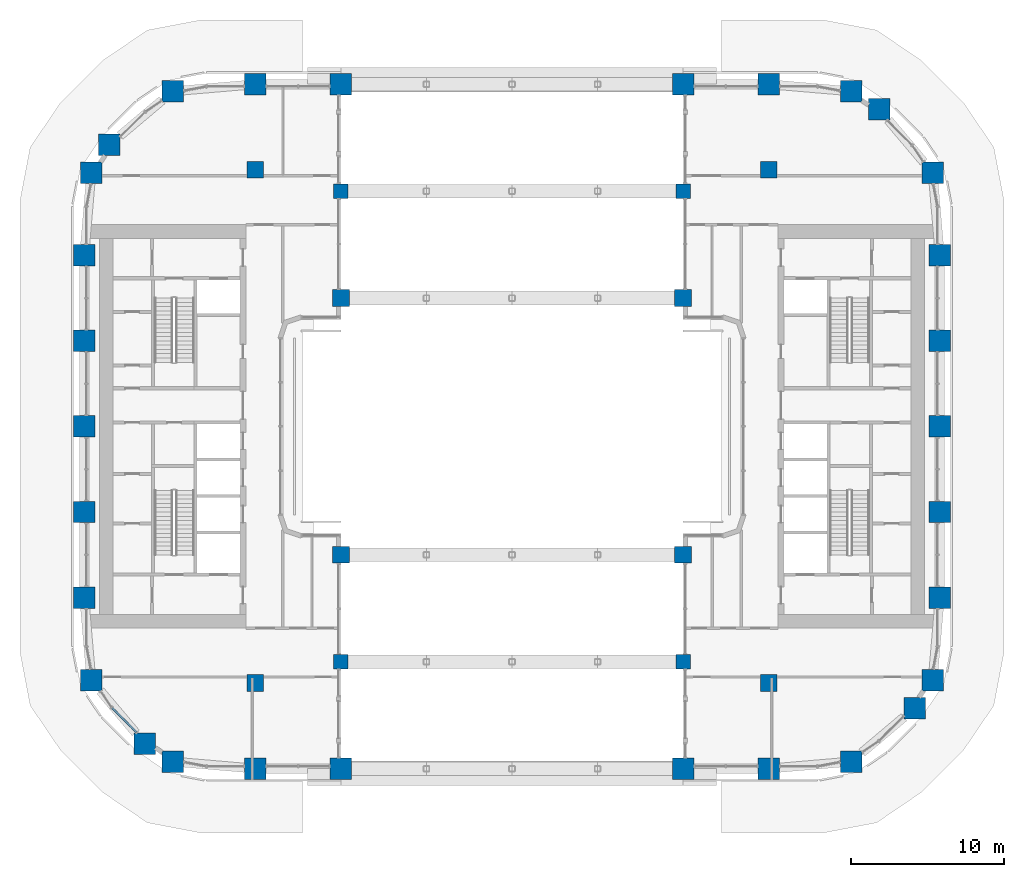
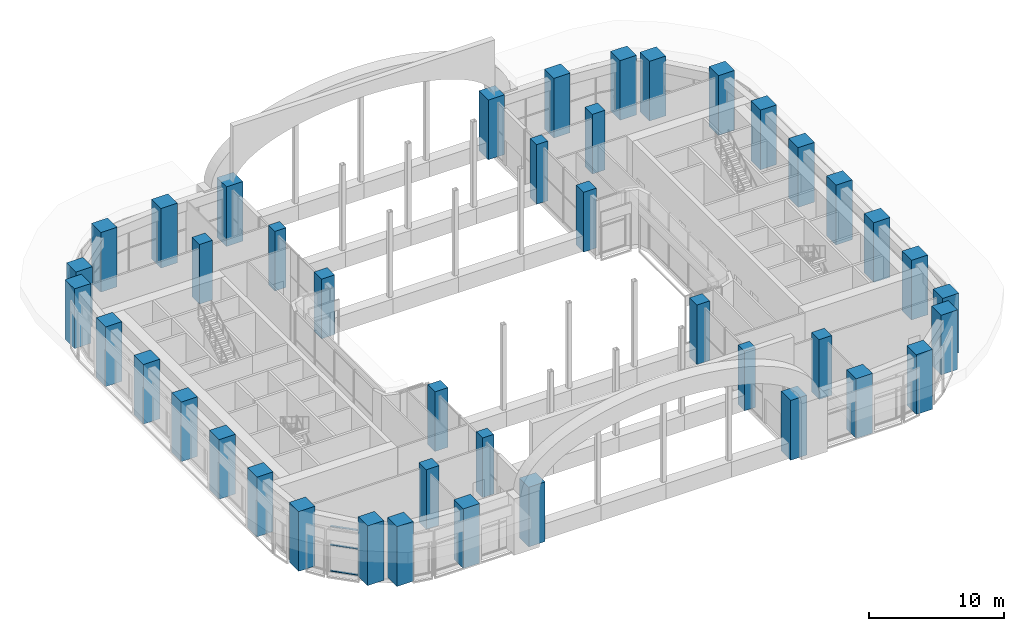
# One storey, part 1 of 27: 42 columns, 3 members, 1 element without a shape of its own.
"""IFC4 building model written with IfcOpenShell, lengths in metres."""

from ifc_helpers import new_model, si_unit, direction, frame, origin, origin_2d, place, context, subcontext, project, spatial, rectangle, extrude, material, layer, layer_set, material_profile, profile_set, type_object, element, aggregate, save


model = new_model("IFC4")

# Units and contexts
model_context = context("Model", 3, precision=1e-05, world=origin(), true_north=direction((0.0, 1.0)))
body_context = subcontext(model_context, "Body", "Model", "MODEL_VIEW")
ifc_project = project(units=[si_unit("LENGTHUNIT", "METRE"), si_unit("AREAUNIT", "SQUARE_METRE"), si_unit("VOLUMEUNIT", "CUBIC_METRE"), si_unit("PLANEANGLEUNIT", "RADIAN"), si_unit("MASSUNIT", "GRAM", prefix="KILO")], contexts=[model_context])

# Site, building, storey
site_placement = place(None, origin())
site = spatial("IfcSite", under=ifc_project, at=site_placement, CompositionType="ELEMENT")
building_placement = place(site_placement, origin())
building = spatial("IfcBuilding", under=site, at=building_placement, Name="Kiln Ring Residences", CompositionType="ELEMENT")
storey_placement = place(building_placement, frame((0.0, 0.0, 72.5)))
storey = spatial("IfcBuildingStorey", under=building, at=storey_placement, Name="L18", CompositionType="ELEMENT", Elevation=72.5)

# Columns
ifc_material_1 = material(Name="Concrete C80/95", Category="concrete")
ifc_material_profile_1 = material_profile(ifc_material_1, rectangle(XDim=0.949951171875, YDim=0.949951171875, at=origin_2d()), Name="RC950x950")
ifc_profile_set_1 = profile_set([ifc_material_profile_1], Name="Concrete C80/95")
column_type_1 = type_object("IfcColumnType", Name="Corridor column RC950x950 C80/95", PredefinedType="COLUMN", material=ifc_profile_set_1)
for number, where, z_axis, x_axis, name in (
    (1, (-11.199951171875, 15.39990234375, 0.0), (0.0, 0.0, 1.0), (1.0, 0.0, 0.0), "Corridor column L18 1"),
    (2, (11.199951171875, 15.39990234375, 0.0), (0.0, 0.0, 1.0), (1.0, 0.0, 0.0), "Corridor column L18 2"),
    (3, (-11.199951171875, -15.39990234375, 0.0), (0.0, 0.0, 1.0), (1.0, 0.0, 0.0), "Corridor column L18 3"),
    (4, (11.199951171875, -15.39990234375, 0.0), (0.0, 0.0, 1.0), (1.0, 0.0, 0.0), "Corridor column L18 4"),
):
    element("IfcColumn", number, at=place(storey_placement, frame(where, z_axis=z_axis, x_axis=x_axis)), inside=storey, type_object=column_type_1, Name=name, PredefinedType="COLUMN", context=body_context, shape_type="SweptSolid", body=[
        extrude(rectangle(XDim=0.949951171875, YDim=0.949951171875, at=origin_2d()), origin(), (0.0, 0.0, 1.0), 5.39990234375),
    ])
ifc_material_2 = material(Name="Concrete C80/95", Category="concrete")
ifc_material_profile_2 = material_profile(ifc_material_2, rectangle(XDim=1.39990234375, YDim=1.39990234375, at=origin_2d()), Name="RC1400x1400")
ifc_profile_set_2 = profile_set([ifc_material_profile_2], Name="Concrete C80/95")
column_type_2 = type_object("IfcColumnType", Name="Perimeter column RC1400x1400 C80/95", PredefinedType="COLUMN", material=ifc_profile_set_2)
for number, where, z_axis, x_axis, name in (
    (5, (-22.208740234375, -21.93798828125, 0.0), (0.0, 0.0, 1.0), (1.0, 0.0, 0.0), "Perimeter column L18 1"),
    (6, (-16.800048828125, -22.39990234375, 0.0), (0.0, 0.0, 1.0), (1.0, 0.0, 0.0), "Perimeter column L18 2"),
    (7, (-11.199951171875, -22.39990234375, 0.0), (0.0, 0.0, 1.0), (1.0, 0.0, 0.0), "Perimeter column L18 3"),
    (8, (11.199951171875, -22.39990234375, 0.0), (0.0, 0.0, 1.0), (1.0, 0.0, 0.0), "Perimeter column L18 4"),
    (9, (16.800048828125, -22.39990234375, 0.0), (0.0, 0.0, 1.0), (1.0, 0.0, 0.0), "Perimeter column L18 5"),
    (10, (22.208740234375, -21.93798828125, 0.0), (0.0, 0.0, 1.0), (1.0, 0.0, 0.0), "Perimeter column L18 6"),
    (11, (26.35986328125, -18.440185546875, 0.0), (0.0, 0.0, 1.0), (1.0, 0.0, 0.0), "Perimeter column L18 7"),
    (12, (27.5380859375, -16.608642578125, 0.0), (0.0, 0.0, 1.0), (1.0, 0.0, 0.0), "Perimeter column L18 8"),
    (13, (28.0, -11.199951171875, 0.0), (0.0, 0.0, 1.0), (1.0, 0.0, 0.0), "Perimeter column L18 9"),
    (14, (28.0, -5.60009765625, 0.0), (0.0, 0.0, 1.0), (1.0, 0.0, 0.0), "Perimeter column L18 10"),
    (15, (28.0, 0.0, 0.0), (0.0, 0.0, 1.0), (1.0, 0.0, 0.0), "Perimeter column L18 11"),
    (16, (28.0, 5.60009765625, 0.0), (0.0, 0.0, 1.0), (1.0, 0.0, 0.0), "Perimeter column L18 12"),
    (17, (28.0, 11.199951171875, 0.0), (0.0, 0.0, 1.0), (1.0, 0.0, 0.0), "Perimeter column L18 13"),
    (18, (27.5380859375, 16.608642578125, 0.0), (0.0, 0.0, 1.0), (1.0, 0.0, 0.0), "Perimeter column L18 14"),
    (19, (24.040283203125, 20.759765625, 0.0), (0.0, 0.0, 1.0), (1.0, 0.0, 0.0), "Perimeter column L18 15"),
    (20, (22.208740234375, 21.93798828125, 0.0), (0.0, 0.0, 1.0), (1.0, 0.0, 0.0), "Perimeter column L18 16"),
    (21, (16.800048828125, 22.39990234375, 0.0), (0.0, 0.0, 1.0), (1.0, 0.0, 0.0), "Perimeter column L18 17"),
    (22, (11.199951171875, 22.39990234375, 0.0), (0.0, 0.0, 1.0), (1.0, 0.0, 0.0), "Perimeter column L18 18"),
    (23, (-11.199951171875, 22.39990234375, 0.0), (0.0, 0.0, 1.0), (1.0, 0.0, 0.0), "Perimeter column L18 19"),
    (24, (-16.800048828125, 22.39990234375, 0.0), (0.0, 0.0, 1.0), (1.0, 0.0, 0.0), "Perimeter column L18 20"),
    (25, (-22.208740234375, 21.93798828125, 0.0), (0.0, 0.0, 1.0), (1.0, 0.0, 0.0), "Perimeter column L18 21"),
    (26, (-26.35986328125, 18.440185546875, 0.0), (0.0, 0.0, 1.0), (1.0, 0.0, 0.0), "Perimeter column L18 22"),
    (27, (-27.5380859375, 16.608642578125, 0.0), (0.0, 0.0, 1.0), (1.0, 0.0, 0.0), "Perimeter column L18 23"),
    (28, (-28.0, 11.199951171875, 0.0), (0.0, 0.0, 1.0), (1.0, 0.0, 0.0), "Perimeter column L18 24"),
    (29, (-28.0, 5.60009765625, 0.0), (0.0, 0.0, 1.0), (1.0, 0.0, 0.0), "Perimeter column L18 25"),
    (30, (-28.0, 0.0, 0.0), (0.0, 0.0, 1.0), (1.0, 0.0, 0.0), "Perimeter column L18 26"),
    (31, (-28.0, -5.60009765625, 0.0), (0.0, 0.0, 1.0), (1.0, 0.0, 0.0), "Perimeter column L18 27"),
    (32, (-28.0, -11.199951171875, 0.0), (0.0, 0.0, 1.0), (1.0, 0.0, 0.0), "Perimeter column L18 28"),
    (33, (-27.5380859375, -16.608642578125, 0.0), (0.0, 0.0, 1.0), (1.0, 0.0, 0.0), "Perimeter column L18 29"),
    (34, (-24.040283203125, -20.759765625, 0.0), (0.0, 0.0, 1.0), (1.0, 0.0, 0.0), "Perimeter column L18 30"),
):
    element("IfcColumn", number, at=place(storey_placement, frame(where, z_axis=z_axis, x_axis=x_axis)), inside=storey, type_object=column_type_2, Name=name, PredefinedType="COLUMN", context=body_context, shape_type="SweptSolid", body=[
        extrude(rectangle(XDim=1.39990234375, YDim=1.39990234375, at=origin_2d()), origin(), (0.0, 0.0, 1.0), 5.39990234375),
    ])
ifc_material_3 = material(Name="Concrete C80/95", Category="concrete")
ifc_material_profile_3 = material_profile(ifc_material_3, rectangle(XDim=1.10009765625, YDim=1.10009765625, at=origin_2d()), Name="RC1100x1100")
ifc_profile_set_3 = profile_set([ifc_material_profile_3], Name="Concrete C80/95")
column_type_3 = type_object("IfcColumnType", Name="Ring column RC1100x1100 C80/95", PredefinedType="COLUMN", material=ifc_profile_set_3)
for number, where, z_axis, x_axis, name in (
    (35, (-16.800048828125, -16.800048828125, 0.0), (0.0, 0.0, 1.0), (1.0, 0.0, 0.0), "Ring column L18 1"),
    (36, (-16.800048828125, 16.800048828125, 0.0), (0.0, 0.0, 1.0), (1.0, 0.0, 0.0), "Ring column L18 2"),
    (37, (16.800048828125, -16.800048828125, 0.0), (0.0, 0.0, 1.0), (1.0, 0.0, 0.0), "Ring column L18 3"),
    (38, (16.800048828125, 16.800048828125, 0.0), (0.0, 0.0, 1.0), (1.0, 0.0, 0.0), "Ring column L18 4"),
    (39, (-11.199951171875, -8.39990234375, 0.0), (0.0, 0.0, 1.0), (1.0, 0.0, 0.0), "Ring column L18 5"),
    (40, (-11.199951171875, 8.39990234375, 0.0), (0.0, 0.0, 1.0), (1.0, 0.0, 0.0), "Ring column L18 6"),
    (41, (11.199951171875, -8.39990234375, 0.0), (0.0, 0.0, 1.0), (1.0, 0.0, 0.0), "Ring column L18 7"),
    (42, (11.199951171875, 8.39990234375, 0.0), (0.0, 0.0, 1.0), (1.0, 0.0, 0.0), "Ring column L18 8"),
):
    element("IfcColumn", number, at=place(storey_placement, frame(where, z_axis=z_axis, x_axis=x_axis)), inside=storey, type_object=column_type_3, Name=name, PredefinedType="COLUMN", context=body_context, shape_type="SweptSolid", body=[
        extrude(rectangle(XDim=1.10009765625, YDim=1.10009765625, at=origin_2d()), origin(), (0.0, 0.0, 1.0), 5.39990234375),
    ])

# Curtain wall, members
ifc_material_4 = material(Name="Aluminium and glass", Category="aluminium")
ifc_layer = layer(ifc_material_4, 0.199951171875)
ifc_layer_set = layer_set([ifc_layer], Name="CW1 CURTAIN WALL")
curtain_wall_type = type_object("IfcCurtainWallType", Name="CW1 CURTAIN WALL", PredefinedType="NOTDEFINED", material=ifc_layer_set)
curtain_wall_placement = place(storey_placement, origin())
curtain_wall = element("IfcCurtainWall", 43, at=curtain_wall_placement, inside=storey, type_object=curtain_wall_type, Name="Curtain wall CW1 L18", PredefinedType="NOTDEFINED")
ifc_material_5 = material(Name="Aluminium 6063-T6", Category="aluminium")
ifc_material_profile_4 = material_profile(ifc_material_5, rectangle(XDim=0.1201171875, YDim=0.06005859375, at=origin_2d()), Name="AL 120x60")
ifc_profile_set_4 = profile_set([ifc_material_profile_4], Name="Aluminium 6063-T6")
member_type = type_object("IfcMemberType", Name="CW1 TRANSOM 120 x 60", PredefinedType="USERDEFINED", material=ifc_profile_set_4)
member_1_placement = place(storey_placement, frame((-26.154541015625, -18.433349609375, 0.030029296875), z_axis=(0.707106781187, -0.707106781187, 0.0), x_axis=(0.707106781187, 0.707106781187, 0.0)))
member_1 = element("IfcMember", 44, at=member_1_placement, type_object=member_type, Name="CW1 transom 1.1", ObjectType="TRANSOM", PredefinedType="USERDEFINED", context=body_context, shape_type="SweptSolid", body=[
    extrude(rectangle(XDim=0.1201171875, YDim=0.06005859375, at=origin_2d()), origin(), (0.0, 0.0, 1.0), 2.239990234375),
])
member_2_placement = place(storey_placement, frame((-26.154541015625, -18.433349609375, 2.39990234375), z_axis=(0.707106781187, -0.707106781187, 0.0), x_axis=(0.707106781187, 0.707106781187, 0.0)))
member_2 = element("IfcMember", 45, at=member_2_placement, type_object=member_type, Name="CW1 transom 1.2", ObjectType="TRANSOM", PredefinedType="USERDEFINED", context=body_context, shape_type="SweptSolid", body=[
    extrude(rectangle(XDim=0.1201171875, YDim=0.06005859375, at=origin_2d()), origin(), (0.0, 0.0, 1.0), 2.239990234375),
])
member_3_placement = place(storey_placement, frame((-26.154541015625, -18.433349609375, 4.070068359375), z_axis=(0.707106781187, -0.707106781187, 0.0), x_axis=(0.707106781187, 0.707106781187, 0.0)))
member_3 = element("IfcMember", 46, at=member_3_placement, type_object=member_type, Name="CW1 transom 1.3", ObjectType="TRANSOM", PredefinedType="USERDEFINED", context=body_context, shape_type="SweptSolid", body=[
    extrude(rectangle(XDim=0.1201171875, YDim=0.06005859375, at=origin_2d()), origin(), (0.0, 0.0, 1.0), 2.239990234375),
])
aggregate(curtain_wall, [member_1, member_2, member_3])

save(model, "model.ifc")
